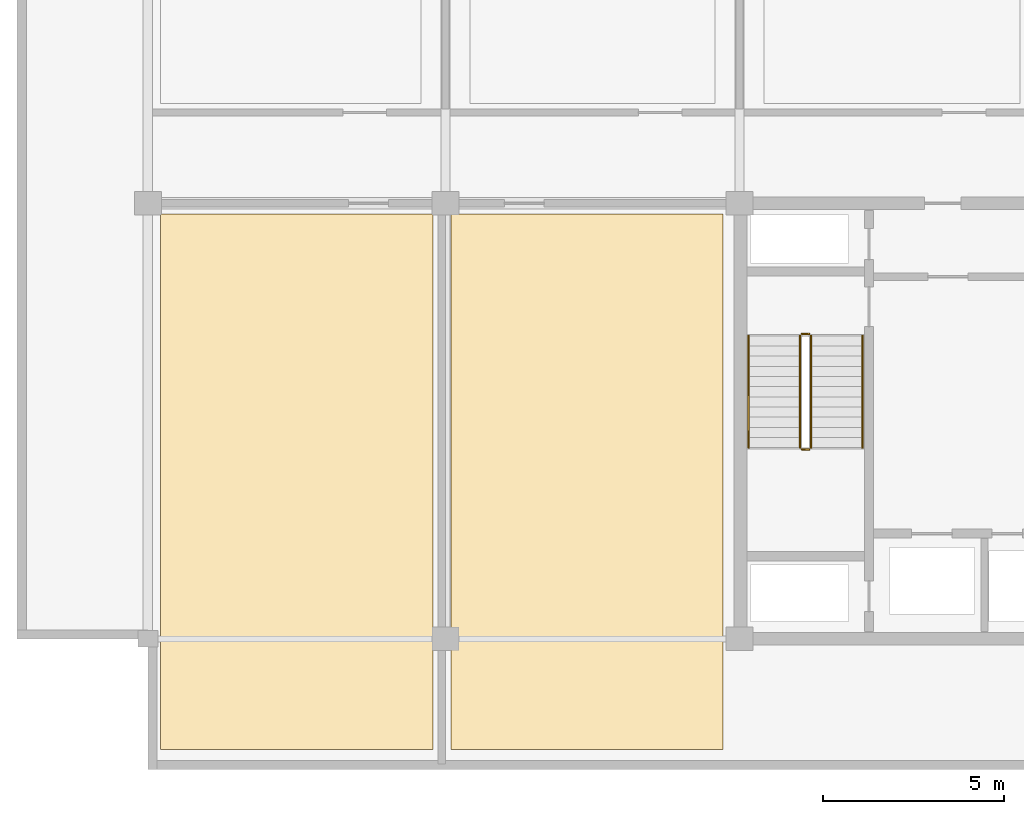
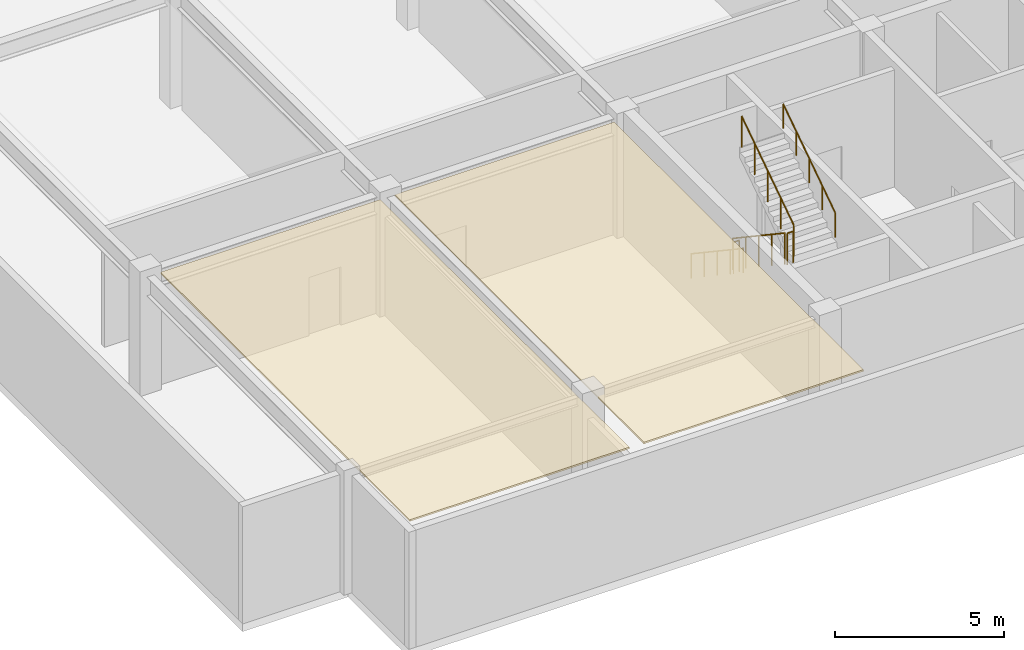
# One storey, part 6 of 9: 6 railings, 2 coverings.
"""IFC4 building model written with IfcOpenShell, lengths in metres."""

from ifc_helpers import new_model, si_unit, direction, frame, origin, origin_2d, place, context, subcontext, project, spatial, polyline, circle, outline, extrude, material, layer, layer_set, type_object, element, save


model = new_model("IFC4")

# Units and contexts
model_context = context("Model", 3, precision=1e-05, world=origin(), true_north=direction((0.0, 1.0)))
body_context = subcontext(model_context, "Body", "Model", "MODEL_VIEW")
ifc_project = project(units=[si_unit("LENGTHUNIT", "METRE"), si_unit("AREAUNIT", "SQUARE_METRE"), si_unit("VOLUMEUNIT", "CUBIC_METRE"), si_unit("PLANEANGLEUNIT", "RADIAN"), si_unit("MASSUNIT", "GRAM", prefix="KILO")], contexts=[model_context])

# Site, building, storey
site_placement = place(None, origin())
site = spatial("IfcSite", under=ifc_project, at=site_placement, CompositionType="ELEMENT")
building_placement = place(site_placement, origin())
building = spatial("IfcBuilding", under=site, at=building_placement, Name="Korimba Cascade Residences", CompositionType="ELEMENT")
storey_placement = place(building_placement, frame((0.0, 0.0, 259.699951171875)))
storey = spatial("IfcBuildingStorey", under=building, at=storey_placement, Name="L75", CompositionType="ELEMENT", Elevation=259.699951171875)

# Coverings
ifc_material_1 = material(Name="Mineral Wool Thermal Acoustic Insulation", Category="insulation")
ifc_layer = layer(ifc_material_1, 0.06005859375)
ifc_layer_set = layer_set([ifc_layer], Name="Mineral Wool Thermal Acoustic Insulation")
covering_type = type_object("IfcCoveringType", Name="COV-INS-60", PredefinedType="INSULATION", material=ifc_layer_set)
covering_1_placement = place(storey_placement, frame((0.0, 0.0, 4.170166015625)))
element("IfcCovering", 1, at=covering_1_placement, inside=storey, type_object=covering_type, Name="L75 Mineral Wool Acoustic Soffit Insulation L75-RWW1", PredefinedType="INSULATION", context=body_context, shape_type="SweptSolid", body=[
    extrude(outline(polyline([(60.14990234375, 52.14990234375), (67.64990234375, 52.14990234375), (67.64990234375, 66.89990234375), (60.14990234375, 66.89990234375), (60.14990234375, 52.14990234375)])), origin(), (0.0, 0.0, 1.0), 0.059814453125),
])
covering_2_placement = place(storey_placement, frame((0.0, 0.0, 4.170166015625)))
element("IfcCovering", 2, at=covering_2_placement, inside=storey, type_object=covering_type, Name="L75 Mineral Wool Acoustic Soffit Insulation L75-RWW2", PredefinedType="INSULATION", context=body_context, shape_type="SweptSolid", body=[
    extrude(outline(polyline([(68.14990234375, 52.14990234375), (75.64990234375, 52.14990234375), (75.64990234375, 66.89990234375), (68.14990234375, 66.89990234375), (68.14990234375, 52.14990234375)])), origin(), (0.0, 0.0, 1.0), 0.059814453125),
])

# Railings
ifc_material_2 = material(Name="Painted Steel Stairwell Guardrail", Category="steel")
railing_type_1 = type_object("IfcRailingType", Name="RLG-ST-GD1150", PredefinedType="GUARDRAIL", material=ifc_material_2)
railing_1_placement = place(storey_placement, frame((77.77001953125, 63.550048828125, 0.1875)))
element("IfcRailing", 3, at=railing_1_placement, inside=storey, type_object=railing_type_1, Name="L75 ST-W1 stair guard 1", PredefinedType="GUARDRAIL", context=body_context, shape_type="SweptSolid", body=[
    extrude(circle(Radius=0.02392578125, at=origin_2d()), frame((0.0, 0.0, 1.1259765625), z_axis=(0.0, -0.830913701846, 0.55640131208), x_axis=(1.0, 0.0, 0.0)), (0.0, 0.0, 1.0), 3.706787109375),
    extrude(circle(Radius=0.02099609375, at=origin_2d()), origin(), (0.0, 0.0, 1.0), 1.101806640625),
    extrude(circle(Radius=0.02099609375, at=origin_2d()), frame((0.0, -0.77001953125, 0.515625)), (0.0, 0.0, 1.0), 1.101806640625),
    extrude(circle(Radius=0.02099609375, at=origin_2d()), frame((0.0, -1.5400390625, 1.03125)), (0.0, 0.0, 1.0), 1.101806640625),
    extrude(circle(Radius=0.02099609375, at=origin_2d()), frame((0.0, -2.31005859375, 1.546875)), (0.0, 0.0, 1.0), 1.101806640625),
    extrude(circle(Radius=0.02099609375, at=origin_2d()), frame((0.0, -3.080078125, 2.0625)), (0.0, 0.0, 1.0), 1.101806640625),
])
railing_2_placement = place(storey_placement, frame((77.820068359375, 60.419921875, 2.25)))
element("IfcRailing", 4, at=railing_2_placement, inside=storey, type_object=railing_type_1, Name="L75 ST-W1 stair guard 2", PredefinedType="GUARDRAIL", context=body_context, shape_type="SweptSolid", body=[
    extrude(circle(Radius=0.02392578125, at=origin_2d()), frame((0.0, 0.0, 1.1259765625), z_axis=(1.0, 0.0, 0.0), x_axis=(0.0, 1.0, 0.0)), (0.0, 0.0, 1.0), 0.199951171875),
    extrude(circle(Radius=0.02099609375, at=origin_2d()), origin(), (0.0, 0.0, 1.0), 1.101806640625),
    extrude(circle(Radius=0.02099609375, at=origin_2d()), frame((0.199951171875, 0.0, 0.0)), (0.0, 0.0, 1.0), 1.101806640625),
])
railing_3_placement = place(storey_placement, frame((78.070068359375, 60.469970703125, 2.4375)))
element("IfcRailing", 5, at=railing_3_placement, inside=storey, type_object=railing_type_1, Name="L75 ST-W1 stair guard 3", PredefinedType="GUARDRAIL", context=body_context, shape_type="SweptSolid", body=[
    extrude(circle(Radius=0.02392578125, at=origin_2d()), frame((0.0, 0.0, 1.1259765625), z_axis=(0.0, 0.830913701846, 0.55640131208), x_axis=(-1.0, 0.0, 0.0)), (0.0, 0.0, 1.0), 3.706787109375),
    extrude(circle(Radius=0.02099609375, at=origin_2d()), origin(), (0.0, 0.0, 1.0), 1.101806640625),
    extrude(circle(Radius=0.02099609375, at=origin_2d()), frame((0.0, 0.77001953125, 0.515625)), (0.0, 0.0, 1.0), 1.101806640625),
    extrude(circle(Radius=0.02099609375, at=origin_2d()), frame((0.0, 1.5400390625, 1.03125)), (0.0, 0.0, 1.0), 1.101806640625),
    extrude(circle(Radius=0.02099609375, at=origin_2d()), frame((0.0, 2.31005859375, 1.546875)), (0.0, 0.0, 1.0), 1.101806640625),
    extrude(circle(Radius=0.02099609375, at=origin_2d()), frame((0.0, 3.080078125, 2.0625)), (0.0, 0.0, 1.0), 1.101806640625),
])
railing_4_placement = place(storey_placement, frame((77.820068359375, 63.60009765625, 0.0)))
element("IfcRailing", 6, at=railing_4_placement, inside=storey, type_object=railing_type_1, Name="L75 ST-W1 stair guard 4", PredefinedType="GUARDRAIL", context=body_context, shape_type="SweptSolid", body=[
    extrude(circle(Radius=0.02392578125, at=origin_2d()), frame((0.0, 0.0, 1.1259765625), z_axis=(1.0, 0.0, 0.0), x_axis=(0.0, 1.0, 0.0)), (0.0, 0.0, 1.0), 0.199951171875),
    extrude(circle(Radius=0.02099609375, at=origin_2d()), origin(), (0.0, 0.0, 1.0), 1.101806640625),
    extrude(circle(Radius=0.02099609375, at=origin_2d()), frame((0.199951171875, 0.0, 0.0)), (0.0, 0.0, 1.0), 1.101806640625),
])
ifc_material_3 = material(Name="Brushed Stainless Steel Handrail", Category="steel")
railing_type_2 = type_object("IfcRailingType", Name="RLG-ST-HR900", PredefinedType="HANDRAIL", material=ifc_material_3)
railing_5_placement = place(storey_placement, frame((76.35009765625, 63.550048828125, 0.379150390625)))
element("IfcRailing", 7, at=railing_5_placement, inside=storey, type_object=railing_type_2, Name="L75 ST-W1 stair handrail 1", PredefinedType="HANDRAIL", context=body_context, shape_type="SweptSolid", body=[
    extrude(circle(Radius=0.02392578125, at=origin_2d()), frame((0.0, 0.0, 0.8759765625), z_axis=(0.0, -0.830913701846, 0.55640131208), x_axis=(1.0, 0.0, 0.0)), (0.0, 0.0, 1.0), 3.706787109375),
    extrude(circle(Radius=0.02099609375, at=origin_2d()), origin(), (0.0, 0.0, 1.0), 0.851806640625),
    extrude(circle(Radius=0.02099609375, at=origin_2d()), frame((0.0, -0.77001953125, 0.515625)), (0.0, 0.0, 1.0), 0.851806640625),
    extrude(circle(Radius=0.02099609375, at=origin_2d()), frame((0.0, -1.5400390625, 1.03125)), (0.0, 0.0, 1.0), 0.851806640625),
    extrude(circle(Radius=0.02099609375, at=origin_2d()), frame((0.0, -2.31005859375, 1.546875)), (0.0, 0.0, 1.0), 0.851806640625),
    extrude(circle(Radius=0.02099609375, at=origin_2d()), frame((0.0, -3.080078125, 2.0625)), (0.0, 0.0, 1.0), 0.851806640625),
])
railing_6_placement = place(storey_placement, frame((79.489990234375, 60.469970703125, 2.629150390625)))
element("IfcRailing", 8, at=railing_6_placement, inside=storey, type_object=railing_type_2, Name="L75 ST-W1 stair handrail 2", PredefinedType="HANDRAIL", context=body_context, shape_type="SweptSolid", body=[
    extrude(circle(Radius=0.02392578125, at=origin_2d()), frame((0.0, 0.0, 0.8759765625), z_axis=(0.0, 0.830913701846, 0.55640131208), x_axis=(-1.0, 0.0, 0.0)), (0.0, 0.0, 1.0), 3.706787109375),
    extrude(circle(Radius=0.02099609375, at=origin_2d()), origin(), (0.0, 0.0, 1.0), 0.851806640625),
    extrude(circle(Radius=0.02099609375, at=origin_2d()), frame((0.0, 0.77001953125, 0.515625)), (0.0, 0.0, 1.0), 0.851806640625),
    extrude(circle(Radius=0.02099609375, at=origin_2d()), frame((0.0, 1.5400390625, 1.03125)), (0.0, 0.0, 1.0), 0.851806640625),
    extrude(circle(Radius=0.02099609375, at=origin_2d()), frame((0.0, 2.31005859375, 1.546875)), (0.0, 0.0, 1.0), 0.851806640625),
    extrude(circle(Radius=0.02099609375, at=origin_2d()), frame((0.0, 3.080078125, 2.0625)), (0.0, 0.0, 1.0), 0.851806640625),
])

save(model, "model.ifc")
